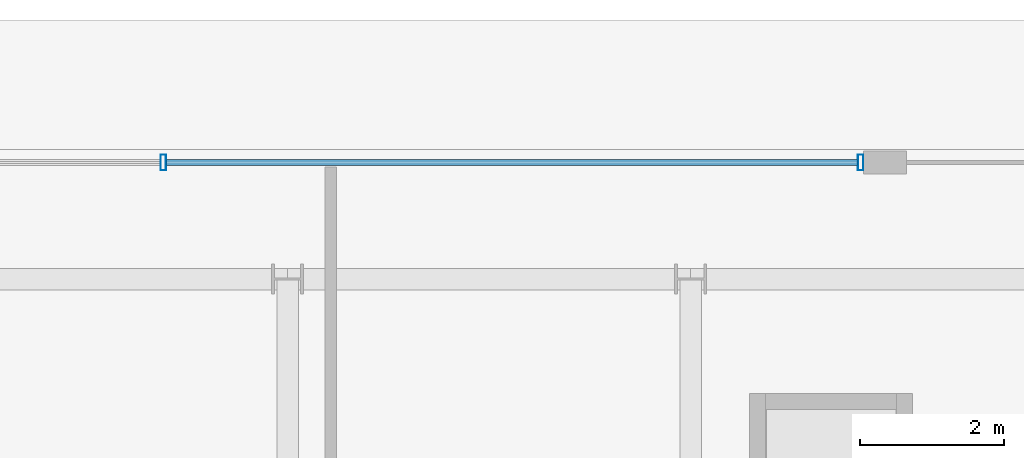
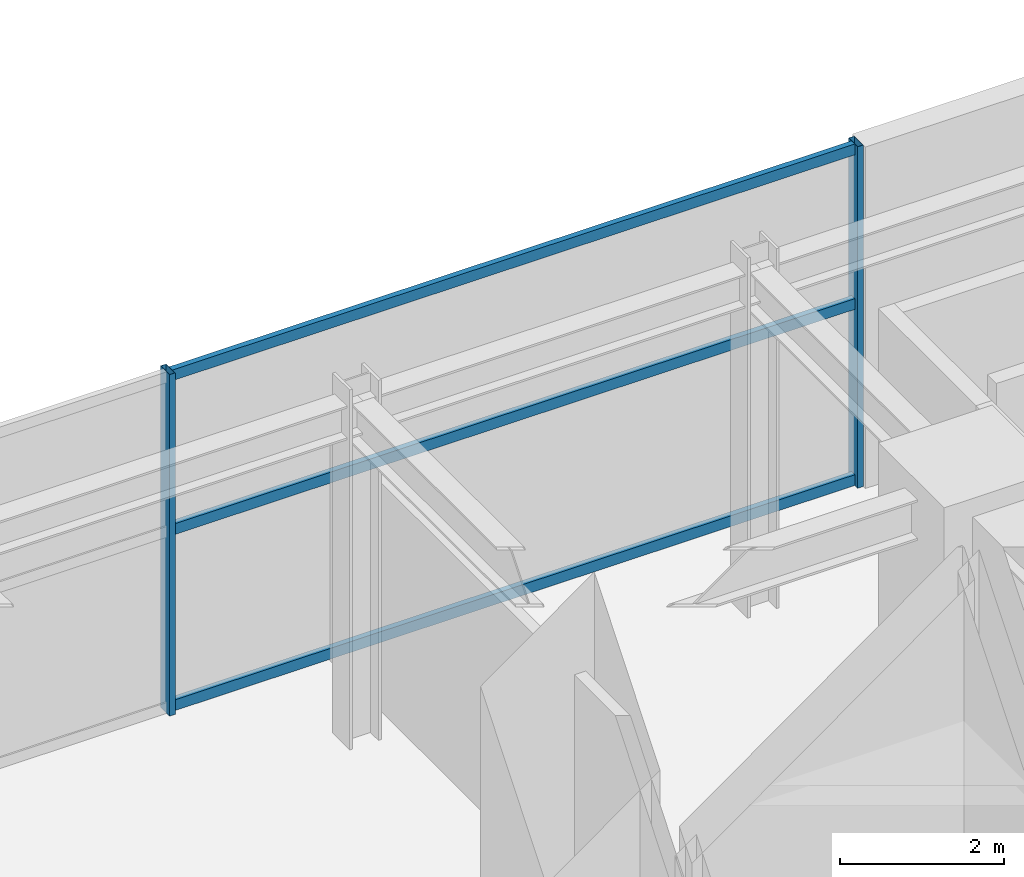
# One storey, part 17 of 29: 5 members, 1 element without a shape of its own.
"""IFC4 building model written with IfcOpenShell, lengths in metres."""

from ifc_helpers import new_model, si_unit, direction, frame, origin, origin_2d, place, context, subcontext, project, spatial, hollow_rectangle, extrude, source, transform, mapped, material, material_profile, profile_set, type_object, element, aggregate, save


model = new_model("IFC4")

# Units and contexts
model_context = context("Model", 3, precision=1e-05, world=origin(), true_north=direction((0.0, 1.0)))
body_context = subcontext(model_context, "Body", "Model", "MODEL_VIEW")
ifc_project = project(units=[si_unit("LENGTHUNIT", "METRE"), si_unit("AREAUNIT", "SQUARE_METRE"), si_unit("VOLUMEUNIT", "CUBIC_METRE"), si_unit("PLANEANGLEUNIT", "RADIAN"), si_unit("MASSUNIT", "GRAM", prefix="KILO")], contexts=[model_context])

# Site, building, storey
site_placement = place(None, origin())
site = spatial("IfcSite", under=ifc_project, at=site_placement, CompositionType="ELEMENT")
building_placement = place(site_placement, origin())
building = spatial("IfcBuilding", under=site, at=building_placement, Name="Nahalor Promenade Grand Hotel", CompositionType="ELEMENT")
storey_placement = place(building_placement, origin())
storey = spatial("IfcBuildingStorey", under=building, at=storey_placement, Name="L00", CompositionType="ELEMENT", Elevation=0.0)

# Curtain wall, members
ifc_material = material(Name="Anodised Bronze Aluminium EN AW-6063 T6", Category="aluminium")
curtain_wall_type = type_object("IfcCurtainWallType", Name="CW1 Waterfront Podium Bronze Arcade Curtain Wall", PredefinedType="USERDEFINED", material=ifc_material)
curtain_wall_placement = place(storey_placement, origin())
curtain_wall = element("IfcCurtainWall", 1, at=curtain_wall_placement, inside=storey, type_object=curtain_wall_type, Name="L00 Curtain Wall CW-L00-N-MID", ObjectType="UNITISED_CURTAIN_WALL", PredefinedType="USERDEFINED")
ifc_material_profile_1 = material_profile(ifc_material, hollow_rectangle(XDim=0.08, YDim=0.22, WallThickness=0.005, at=origin_2d()), Name="CWM 80x220x5")
ifc_profile_set_1 = profile_set([ifc_material_profile_1], Name="Anodised Bronze Aluminium EN AW-6063 T6")
member_type_1 = type_object("IfcMemberType", Name="CWM1 Podium Bronze Mullion 80x220", PredefinedType="MULLION", material=ifc_profile_set_1)
shared_shape_1 = source(origin(), body_context, "Body", "SweptSolid", [
    extrude(hollow_rectangle(XDim=0.08, YDim=0.22, WallThickness=0.005, at=origin_2d()), origin(), (0.0, 0.0, 1.0), 5.080078125),
])
member_1_placement = place(storey_placement, frame((1.075927734375, 23.820068359375, 0.0), z_axis=(0.0, 0.0, 1.0), x_axis=(1.0, 0.0, 0.0)))
member_1 = element("IfcMember", 2, at=member_1_placement, type_object=member_type_1, Name="CW-L00-N-MID Mullion 4", PredefinedType="MULLION", context=body_context, shape_type="MappedRepresentation", body=[
    mapped(shared_shape_1, transform((0.0, 0.0, 0.0), scale=1.0)),
])
member_2_placement = place(storey_placement, frame((10.760009765625, 23.820068359375, 0.0), z_axis=(0.0, 0.0, 1.0), x_axis=(1.0, 0.0, 0.0)))
member_2 = element("IfcMember", 3, at=member_2_placement, type_object=member_type_1, Name="CW-L00-N-MID Mullion 5", PredefinedType="MULLION", context=body_context, shape_type="MappedRepresentation", body=[
    mapped(shared_shape_1, transform((0.0, 0.0, 0.0), scale=1.0)),
])
ifc_material_profile_2 = material_profile(ifc_material, hollow_rectangle(XDim=0.08, YDim=0.16, WallThickness=0.004, at=origin_2d()), Name="CWT 80x160x4")
ifc_profile_set_2 = profile_set([ifc_material_profile_2], Name="Anodised Bronze Aluminium EN AW-6063 T6")
member_type_2 = type_object("IfcMemberType", Name="CWT1 Podium Bronze Transom 80x160", PredefinedType="USERDEFINED", material=ifc_profile_set_2)
shared_shape_2 = source(origin(), body_context, "Body", "SweptSolid", [
    extrude(hollow_rectangle(XDim=0.08, YDim=0.16, WallThickness=0.004, at=origin_2d()), origin(), (0.0, 0.0, 1.0), 9.60400390625),
])
member_3_placement = place(storey_placement, frame((1.115966796875, 23.820068359375, 0.080078125), z_axis=(1.0, 0.0, 0.0), x_axis=(0.0, 1.0, 0.0)))
member_3 = element("IfcMember", 4, at=member_3_placement, type_object=member_type_2, Name="CW-L00-N-MID Transom 4-0", ObjectType="TRANSOM", PredefinedType="USERDEFINED", context=body_context, shape_type="MappedRepresentation", body=[
    mapped(shared_shape_2, transform((0.0, 0.0, 0.0), scale=1.0)),
])
member_4_placement = place(storey_placement, frame((1.115966796875, 23.820068359375, 2.699951171875), z_axis=(1.0, 0.0, 0.0), x_axis=(0.0, 1.0, 0.0)))
member_4 = element("IfcMember", 5, at=member_4_placement, type_object=member_type_2, Name="CW-L00-N-MID Transom 4-1", ObjectType="TRANSOM", PredefinedType="USERDEFINED", context=body_context, shape_type="MappedRepresentation", body=[
    mapped(shared_shape_2, transform((0.0, 0.0, 0.0), scale=1.0)),
])
member_5_placement = place(storey_placement, frame((1.115966796875, 23.820068359375, 5.0), z_axis=(1.0, 0.0, 0.0), x_axis=(0.0, 1.0, 0.0)))
member_5 = element("IfcMember", 6, at=member_5_placement, type_object=member_type_2, Name="CW-L00-N-MID Transom 4-2", ObjectType="TRANSOM", PredefinedType="USERDEFINED", context=body_context, shape_type="MappedRepresentation", body=[
    mapped(shared_shape_2, transform((0.0, 0.0, 0.0), scale=1.0)),
])
aggregate(curtain_wall, [member_1, member_2, member_3, member_4, member_5])

save(model, "model.ifc")
